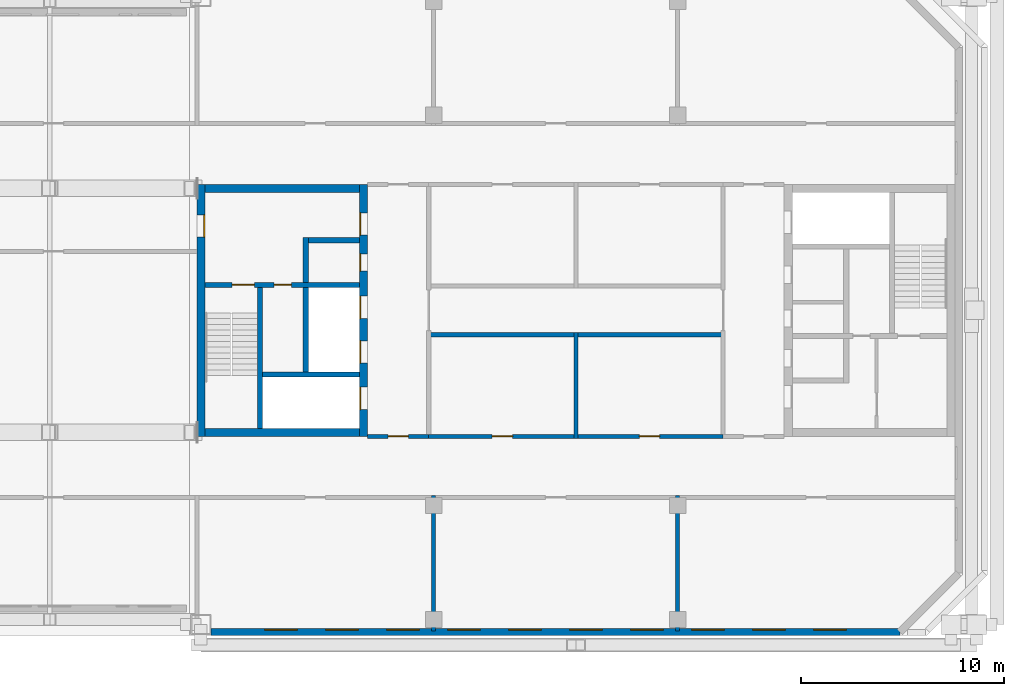
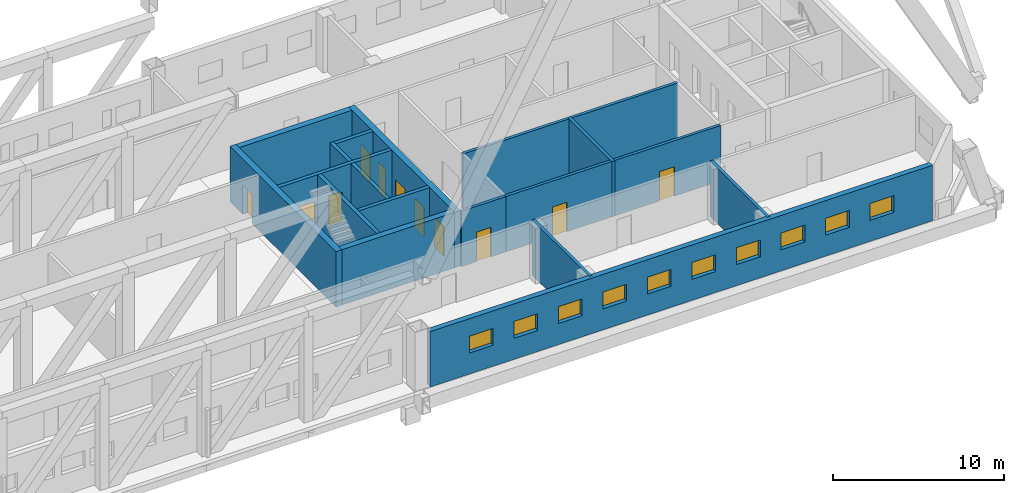
# One storey, part 11 of 17: 17 walls, 11 doors, 10 windows, 21 openings.
"""IFC4 building model written with IfcOpenShell, lengths in metres."""

from ifc_helpers import new_model, si_unit, direction, frame, frame_2d, origin, place, context, subcontext, project, spatial, rectangle, extrude, material, layer, layer_set, type_object, element, fill, save


model = new_model("IFC4")

# Units and contexts
model_context = context("Model", 3, precision=1e-05, world=origin(), true_north=direction((0.0, 1.0)))
body_context = subcontext(model_context, "Body", "Model", "MODEL_VIEW")
ifc_project = project(units=[si_unit("LENGTHUNIT", "METRE"), si_unit("AREAUNIT", "SQUARE_METRE"), si_unit("VOLUMEUNIT", "CUBIC_METRE"), si_unit("PLANEANGLEUNIT", "RADIAN"), si_unit("MASSUNIT", "GRAM", prefix="KILO")], contexts=[model_context])

# Site, building, storey
site_placement = place(None, origin())
site = spatial("IfcSite", under=ifc_project, at=site_placement, CompositionType="ELEMENT")
building_placement = place(site_placement, origin())
building = spatial("IfcBuilding", under=site, at=building_placement, Name="Tuart Gate Housing", CompositionType="ELEMENT")
storey_placement = place(building_placement, frame((0.0, 0.0, 194.39990234375)))
storey = spatial("IfcBuildingStorey", under=building, at=storey_placement, Name="L55", CompositionType="ELEMENT", Elevation=194.39990234375)

# Wall, openings, windows
ifc_material_1 = material(Name="Brick", Category="masonry")
ifc_layer_1 = layer(ifc_material_1, 0.360107421875)
ifc_layer_set_1 = layer_set([ifc_layer_1], Name="Brick pier and spandrel wall 360")
wall_type_1 = type_object("IfcWallType", Name="Brick pier and spandrel wall 360", PredefinedType="STANDARD", material=ifc_layer_set_1)
wall_1_placement = place(storey_placement, frame((132.050048828125, 54.179931640625, 0.0), z_axis=(0.0, 0.0, 1.0), x_axis=(1.0, 0.0, 0.0)))
wall_1 = element("IfcWall", 1, at=wall_1_placement, inside=storey, type_object=wall_type_1, Name="External wall BLK-S L55", PredefinedType="STANDARD", context=body_context, shape_type="SweptSolid", body=[
    extrude(rectangle(XDim=33.87548828125, YDim=0.360107421875, at=frame_2d((16.937744140625, 0.0))), origin(), (0.0, 0.0, 1.0), 3.9501953125),
])
opening_1_placement = place(wall_1_placement, frame((2.64990234375, 0.0, 1.5)))
opening_1 = element("IfcOpeningElement", 2, at=opening_1_placement, cuts=wall_1, Name="Opening W3", PredefinedType="OPENING", context=body_context, shape_type="SweptSolid", body=[
    extrude(rectangle(XDim=1.60009765625, YDim=1.199951171875, at=frame_2d((0.800048828125, 0.60009765625))), frame((0.0, 0.18994140625, 0.0), z_axis=(0.0, -1.0, 0.0), x_axis=(1.0, 0.0, 0.0)), (0.0, 0.0, 1.0), 0.380126953125),
])
opening_2_placement = place(wall_1_placement, frame((5.64990234375, 0.0, 1.5)))
opening_2 = element("IfcOpeningElement", 3, at=opening_2_placement, cuts=wall_1, Name="Opening W3", PredefinedType="OPENING", context=body_context, shape_type="SweptSolid", body=[
    extrude(rectangle(XDim=1.60009765625, YDim=1.199951171875, at=frame_2d((0.800048828125, 0.60009765625))), frame((0.0, 0.18994140625, 0.0), z_axis=(0.0, -1.0, 0.0), x_axis=(1.0, 0.0, 0.0)), (0.0, 0.0, 1.0), 0.380126953125),
])
opening_3_placement = place(wall_1_placement, frame((8.64990234375, 0.0, 1.5)))
opening_3 = element("IfcOpeningElement", 4, at=opening_3_placement, cuts=wall_1, Name="Opening W3", PredefinedType="OPENING", context=body_context, shape_type="SweptSolid", body=[
    extrude(rectangle(XDim=1.60009765625, YDim=1.199951171875, at=frame_2d((0.800048828125, 0.60009765625))), frame((0.0, 0.18994140625, 0.0), z_axis=(0.0, -1.0, 0.0), x_axis=(1.0, 0.0, 0.0)), (0.0, 0.0, 1.0), 0.380126953125),
])
opening_4_placement = place(wall_1_placement, frame((11.64990234375, 0.0, 1.5)))
opening_4 = element("IfcOpeningElement", 5, at=opening_4_placement, cuts=wall_1, Name="Opening W3", PredefinedType="OPENING", context=body_context, shape_type="SweptSolid", body=[
    extrude(rectangle(XDim=1.60009765625, YDim=1.199951171875, at=frame_2d((0.800048828125, 0.60009765625))), frame((0.0, 0.18994140625, 0.0), z_axis=(0.0, -1.0, 0.0), x_axis=(1.0, 0.0, 0.0)), (0.0, 0.0, 1.0), 0.380126953125),
])
opening_5_placement = place(wall_1_placement, frame((14.64990234375, 0.0, 1.5)))
opening_5 = element("IfcOpeningElement", 6, at=opening_5_placement, cuts=wall_1, Name="Opening W3", PredefinedType="OPENING", context=body_context, shape_type="SweptSolid", body=[
    extrude(rectangle(XDim=1.60009765625, YDim=1.199951171875, at=frame_2d((0.800048828125, 0.60009765625))), frame((0.0, 0.18994140625, 0.0), z_axis=(0.0, -1.0, 0.0), x_axis=(1.0, 0.0, 0.0)), (0.0, 0.0, 1.0), 0.380126953125),
])
opening_6_placement = place(wall_1_placement, frame((17.64990234375, 0.0, 1.5)))
opening_6 = element("IfcOpeningElement", 7, at=opening_6_placement, cuts=wall_1, Name="Opening W3", PredefinedType="OPENING", context=body_context, shape_type="SweptSolid", body=[
    extrude(rectangle(XDim=1.60009765625, YDim=1.199951171875, at=frame_2d((0.800048828125, 0.60009765625))), frame((0.0, 0.18994140625, 0.0), z_axis=(0.0, -1.0, 0.0), x_axis=(1.0, 0.0, 0.0)), (0.0, 0.0, 1.0), 0.380126953125),
])
opening_7_placement = place(wall_1_placement, frame((20.64990234375, 0.0, 1.5)))
opening_7 = element("IfcOpeningElement", 8, at=opening_7_placement, cuts=wall_1, Name="Opening W3", PredefinedType="OPENING", context=body_context, shape_type="SweptSolid", body=[
    extrude(rectangle(XDim=1.60009765625, YDim=1.199951171875, at=frame_2d((0.800048828125, 0.60009765625))), frame((0.0, 0.18994140625, 0.0), z_axis=(0.0, -1.0, 0.0), x_axis=(1.0, 0.0, 0.0)), (0.0, 0.0, 1.0), 0.380126953125),
])
opening_8_placement = place(wall_1_placement, frame((23.64990234375, 0.0, 1.5)))
opening_8 = element("IfcOpeningElement", 9, at=opening_8_placement, cuts=wall_1, Name="Opening W3", PredefinedType="OPENING", context=body_context, shape_type="SweptSolid", body=[
    extrude(rectangle(XDim=1.60009765625, YDim=1.199951171875, at=frame_2d((0.800048828125, 0.60009765625))), frame((0.0, 0.18994140625, 0.0), z_axis=(0.0, -1.0, 0.0), x_axis=(1.0, 0.0, 0.0)), (0.0, 0.0, 1.0), 0.380126953125),
])
opening_9_placement = place(wall_1_placement, frame((26.64990234375, 0.0, 1.5)))
opening_9 = element("IfcOpeningElement", 10, at=opening_9_placement, cuts=wall_1, Name="Opening W3", PredefinedType="OPENING", context=body_context, shape_type="SweptSolid", body=[
    extrude(rectangle(XDim=1.60009765625, YDim=1.199951171875, at=frame_2d((0.800048828125, 0.60009765625))), frame((0.0, 0.18994140625, 0.0), z_axis=(0.0, -1.0, 0.0), x_axis=(1.0, 0.0, 0.0)), (0.0, 0.0, 1.0), 0.380126953125),
])
opening_10_placement = place(wall_1_placement, frame((29.64990234375, 0.0, 1.5)))
opening_10 = element("IfcOpeningElement", 11, at=opening_10_placement, cuts=wall_1, Name="Opening W3", PredefinedType="OPENING", context=body_context, shape_type="SweptSolid", body=[
    extrude(rectangle(XDim=1.60009765625, YDim=1.199951171875, at=frame_2d((0.800048828125, 0.60009765625))), frame((0.0, 0.18994140625, 0.0), z_axis=(0.0, -1.0, 0.0), x_axis=(1.0, 0.0, 0.0)), (0.0, 0.0, 1.0), 0.380126953125),
])
ifc_material_2 = material(Name="Aluminium louvre blades", Category="aluminium")
window_type = type_object("IfcWindowType", Name="Louvre window 1600 x 1200", PartitioningType="DOUBLE_PANEL_HORIZONTAL", PredefinedType="WINDOW", material=ifc_material_2)
window_1_placement = place(opening_1_placement, origin())
window_1 = element("IfcWindow", 12, at=window_1_placement, inside=storey, type_object=window_type, Name="Louvre W3", OverallHeight=1.199951171875, OverallWidth=1.60009765625, PartitioningType="DOUBLE_PANEL_HORIZONTAL", PredefinedType="WINDOW", context=body_context, shape_type="SweptSolid", body=[
    extrude(rectangle(XDim=1.60009765625, YDim=1.199951171875, at=frame_2d((0.800048828125, 0.60009765625))), frame((0.0, 0.150146484375, 0.0), z_axis=(0.0, -1.0, 0.0), x_axis=(1.0, 0.0, 0.0)), (0.0, 0.0, 1.0), 0.06005859375),
])
fill(opening_1, window_1)
window_2_placement = place(opening_2_placement, origin())
window_2 = element("IfcWindow", 13, at=window_2_placement, inside=storey, type_object=window_type, Name="Louvre W3", OverallHeight=1.199951171875, OverallWidth=1.60009765625, PartitioningType="DOUBLE_PANEL_HORIZONTAL", PredefinedType="WINDOW", context=body_context, shape_type="SweptSolid", body=[
    extrude(rectangle(XDim=1.60009765625, YDim=1.199951171875, at=frame_2d((0.800048828125, 0.60009765625))), frame((0.0, 0.150146484375, 0.0), z_axis=(0.0, -1.0, 0.0), x_axis=(1.0, 0.0, 0.0)), (0.0, 0.0, 1.0), 0.06005859375),
])
fill(opening_2, window_2)
window_3_placement = place(opening_3_placement, origin())
window_3 = element("IfcWindow", 14, at=window_3_placement, inside=storey, type_object=window_type, Name="Louvre W3", OverallHeight=1.199951171875, OverallWidth=1.60009765625, PartitioningType="DOUBLE_PANEL_HORIZONTAL", PredefinedType="WINDOW", context=body_context, shape_type="SweptSolid", body=[
    extrude(rectangle(XDim=1.60009765625, YDim=1.199951171875, at=frame_2d((0.800048828125, 0.60009765625))), frame((0.0, 0.150146484375, 0.0), z_axis=(0.0, -1.0, 0.0), x_axis=(1.0, 0.0, 0.0)), (0.0, 0.0, 1.0), 0.06005859375),
])
fill(opening_3, window_3)
window_4_placement = place(opening_4_placement, origin())
window_4 = element("IfcWindow", 15, at=window_4_placement, inside=storey, type_object=window_type, Name="Louvre W3", OverallHeight=1.199951171875, OverallWidth=1.60009765625, PartitioningType="DOUBLE_PANEL_HORIZONTAL", PredefinedType="WINDOW", context=body_context, shape_type="SweptSolid", body=[
    extrude(rectangle(XDim=1.60009765625, YDim=1.199951171875, at=frame_2d((0.800048828125, 0.60009765625))), frame((0.0, 0.150146484375, 0.0), z_axis=(0.0, -1.0, 0.0), x_axis=(1.0, 0.0, 0.0)), (0.0, 0.0, 1.0), 0.06005859375),
])
fill(opening_4, window_4)
window_5_placement = place(opening_5_placement, origin())
window_5 = element("IfcWindow", 16, at=window_5_placement, inside=storey, type_object=window_type, Name="Louvre W3", OverallHeight=1.199951171875, OverallWidth=1.60009765625, PartitioningType="DOUBLE_PANEL_HORIZONTAL", PredefinedType="WINDOW", context=body_context, shape_type="SweptSolid", body=[
    extrude(rectangle(XDim=1.60009765625, YDim=1.199951171875, at=frame_2d((0.800048828125, 0.60009765625))), frame((0.0, 0.150146484375, 0.0), z_axis=(0.0, -1.0, 0.0), x_axis=(1.0, 0.0, 0.0)), (0.0, 0.0, 1.0), 0.06005859375),
])
fill(opening_5, window_5)
window_6_placement = place(opening_6_placement, origin())
window_6 = element("IfcWindow", 17, at=window_6_placement, inside=storey, type_object=window_type, Name="Louvre W3", OverallHeight=1.199951171875, OverallWidth=1.60009765625, PartitioningType="DOUBLE_PANEL_HORIZONTAL", PredefinedType="WINDOW", context=body_context, shape_type="SweptSolid", body=[
    extrude(rectangle(XDim=1.60009765625, YDim=1.199951171875, at=frame_2d((0.800048828125, 0.60009765625))), frame((0.0, 0.150146484375, 0.0), z_axis=(0.0, -1.0, 0.0), x_axis=(1.0, 0.0, 0.0)), (0.0, 0.0, 1.0), 0.06005859375),
])
fill(opening_6, window_6)
window_7_placement = place(opening_7_placement, origin())
window_7 = element("IfcWindow", 18, at=window_7_placement, inside=storey, type_object=window_type, Name="Louvre W3", OverallHeight=1.199951171875, OverallWidth=1.60009765625, PartitioningType="DOUBLE_PANEL_HORIZONTAL", PredefinedType="WINDOW", context=body_context, shape_type="SweptSolid", body=[
    extrude(rectangle(XDim=1.60009765625, YDim=1.199951171875, at=frame_2d((0.800048828125, 0.60009765625))), frame((0.0, 0.150146484375, 0.0), z_axis=(0.0, -1.0, 0.0), x_axis=(1.0, 0.0, 0.0)), (0.0, 0.0, 1.0), 0.06005859375),
])
fill(opening_7, window_7)
window_8_placement = place(opening_8_placement, origin())
window_8 = element("IfcWindow", 19, at=window_8_placement, inside=storey, type_object=window_type, Name="Louvre W3", OverallHeight=1.199951171875, OverallWidth=1.60009765625, PartitioningType="DOUBLE_PANEL_HORIZONTAL", PredefinedType="WINDOW", context=body_context, shape_type="SweptSolid", body=[
    extrude(rectangle(XDim=1.60009765625, YDim=1.199951171875, at=frame_2d((0.800048828125, 0.60009765625))), frame((0.0, 0.150146484375, 0.0), z_axis=(0.0, -1.0, 0.0), x_axis=(1.0, 0.0, 0.0)), (0.0, 0.0, 1.0), 0.06005859375),
])
fill(opening_8, window_8)
window_9_placement = place(opening_9_placement, origin())
window_9 = element("IfcWindow", 20, at=window_9_placement, inside=storey, type_object=window_type, Name="Louvre W3", OverallHeight=1.199951171875, OverallWidth=1.60009765625, PartitioningType="DOUBLE_PANEL_HORIZONTAL", PredefinedType="WINDOW", context=body_context, shape_type="SweptSolid", body=[
    extrude(rectangle(XDim=1.60009765625, YDim=1.199951171875, at=frame_2d((0.800048828125, 0.60009765625))), frame((0.0, 0.150146484375, 0.0), z_axis=(0.0, -1.0, 0.0), x_axis=(1.0, 0.0, 0.0)), (0.0, 0.0, 1.0), 0.06005859375),
])
fill(opening_9, window_9)
window_10_placement = place(opening_10_placement, origin())
window_10 = element("IfcWindow", 21, at=window_10_placement, inside=storey, type_object=window_type, Name="Louvre W3", OverallHeight=1.199951171875, OverallWidth=1.60009765625, PartitioningType="DOUBLE_PANEL_HORIZONTAL", PredefinedType="WINDOW", context=body_context, shape_type="SweptSolid", body=[
    extrude(rectangle(XDim=1.60009765625, YDim=1.199951171875, at=frame_2d((0.800048828125, 0.60009765625))), frame((0.0, 0.150146484375, 0.0), z_axis=(0.0, -1.0, 0.0), x_axis=(1.0, 0.0, 0.0)), (0.0, 0.0, 1.0), 0.06005859375),
])
fill(opening_10, window_10)

# Wall
ifc_material_3 = material(Name="Concrete C40", Category="concrete")
ifc_layer_2 = layer(ifc_material_3, 0.25)
ifc_layer_set_2 = layer_set([ifc_layer_2], Name="Core wall 250 C40")
wall_type_2 = type_object("IfcWallType", Name="Core wall 250 C40", PredefinedType="SHEAR", material=ifc_layer_set_2)
wall_2_placement = place(storey_placement, frame((139.360107421875, 66.85009765625, 0.0), z_axis=(0.0, 0.0, 1.0), x_axis=(-1.0, 0.0, 0.0)))
element("IfcWall", 22, at=wall_2_placement, inside=storey, type_object=wall_type_2, Name="Core wall BG.1", PredefinedType="SHEAR", context=body_context, shape_type="SweptSolid", body=[
    extrude(rectangle(XDim=4.775146484375, YDim=0.25, at=frame_2d((2.3876953125, 0.0))), origin(), (0.0, 0.0, 1.0), 3.9501953125),
])

# Wall, openings, doors
wall_3_placement = place(storey_placement, frame((139.360107421875, 71.25, 0.0), z_axis=(0.0, 0.0, 1.0), x_axis=(-1.0, 0.0, 0.0)))
wall_3 = element("IfcWall", 23, at=wall_3_placement, inside=storey, type_object=wall_type_2, Name="Core wall BG.2", PredefinedType="SHEAR", context=body_context, shape_type="SweptSolid", body=[
    extrude(rectangle(XDim=7.60009765625, YDim=0.25, at=frame_2d((3.800048828125, 0.0))), origin(), (0.0, 0.0, 1.0), 3.9501953125),
])
opening_11_placement = place(wall_3_placement, frame((5.175048828125, 0.0, 0.0)))
opening_11 = element("IfcOpeningElement", 24, at=opening_11_placement, cuts=wall_3, Name="Opening D3549", PredefinedType="OPENING", context=body_context, shape_type="SweptSolid", body=[
    extrude(rectangle(XDim=1.10009765625, YDim=2.10009765625, at=frame_2d((0.550048828125, 1.050048828125))), frame((0.0, 0.135009765625, 0.0), z_axis=(0.0, -1.0, 0.0), x_axis=(1.0, 0.0, 0.0)), (0.0, 0.0, 1.0), 0.27001953125),
])
opening_12_placement = place(wall_3_placement, frame((3.35009765625, 0.0, 0.0)))
opening_12 = element("IfcOpeningElement", 25, at=opening_12_placement, cuts=wall_3, Name="Opening D3548", PredefinedType="OPENING", context=body_context, shape_type="SweptSolid", body=[
    extrude(rectangle(XDim=0.85009765625, YDim=2.10009765625, at=frame_2d((0.425048828125, 1.050048828125))), frame((0.0, 0.135009765625, 0.0), z_axis=(0.0, -1.0, 0.0), x_axis=(1.0, 0.0, 0.0)), (0.0, 0.0, 1.0), 0.27001953125),
])
ifc_material_4 = material(Name="Steel fire door", Category="steel")
door_type_1 = type_object("IfcDoorType", Name="Riser door 850 x 2100", OperationType="SINGLE_SWING_LEFT", PredefinedType="DOOR", material=ifc_material_4)
door_1_placement = place(opening_12_placement, origin())
door_1 = element("IfcDoor", 26, at=door_1_placement, inside=storey, type_object=door_type_1, Name="Service room door BG.W1", OperationType="SINGLE_SWING_LEFT", OverallHeight=2.10009765625, OverallWidth=0.85009765625, PredefinedType="DOOR", context=body_context, shape_type="SweptSolid", body=[
    extrude(rectangle(XDim=0.85009765625, YDim=2.10009765625, at=frame_2d((0.425048828125, 1.050048828125))), frame((0.0, 0.02490234375, 0.0), z_axis=(0.0, -1.0, 0.0), x_axis=(1.0, 0.0, 0.0)), (0.0, 0.0, 1.0), 0.050048828125),
])
fill(opening_12, door_1)
ifc_material_5 = material(Name="Steel fire door", Category="steel")
door_type_2 = type_object("IfcDoorType", Name="Stair door 1100 x 2100", OperationType="SINGLE_SWING_LEFT", PredefinedType="DOOR", material=ifc_material_5)
door_2_placement = place(opening_11_placement, origin())
door_2 = element("IfcDoor", 27, at=door_2_placement, inside=storey, type_object=door_type_2, Name="Stair door BG.SD", OperationType="SINGLE_SWING_LEFT", OverallHeight=2.10009765625, OverallWidth=1.10009765625, PredefinedType="DOOR", context=body_context, shape_type="SweptSolid", body=[
    extrude(rectangle(XDim=1.10009765625, YDim=2.10009765625, at=frame_2d((0.550048828125, 1.050048828125))), frame((0.0, 0.02490234375, 0.0), z_axis=(0.0, -1.0, 0.0), x_axis=(1.0, 0.0, 0.0)), (0.0, 0.0, 1.0), 0.050048828125),
])
fill(opening_11, door_2)

# Walls
wall_4_placement = place(storey_placement, frame((139.360107421875, 73.449951171875, 0.0), z_axis=(0.0, 0.0, 1.0), x_axis=(-1.0, 0.0, 0.0)))
element("IfcWall", 28, at=wall_4_placement, inside=storey, type_object=wall_type_2, Name="Core wall BG.3", PredefinedType="SHEAR", context=body_context, shape_type="SweptSolid", body=[
    extrude(rectangle(XDim=2.525146484375, YDim=0.25, at=frame_2d((1.2626953125, 0.0))), origin(), (0.0, 0.0, 1.0), 3.9501953125),
])
wall_5_placement = place(storey_placement, frame((136.7099609375, 66.97509765625, 0.0), z_axis=(0.0, 0.0, 1.0), x_axis=(0.0, 1.0, 0.0)))
element("IfcWall", 29, at=wall_5_placement, inside=storey, type_object=wall_type_2, Name="Core wall BG.4", PredefinedType="SHEAR", context=body_context, shape_type="SweptSolid", body=[
    extrude(rectangle(XDim=4.14990234375, YDim=0.25, at=frame_2d((2.074951171875, 0.0))), origin(), (0.0, 0.0, 1.0), 3.9501953125),
])
wall_6_placement = place(storey_placement, frame((136.7099609375, 71.375, 0.0), z_axis=(0.0, 0.0, 1.0), x_axis=(0.0, 1.0, 0.0)))
element("IfcWall", 30, at=wall_6_placement, inside=storey, type_object=wall_type_2, Name="Core wall BG.5", PredefinedType="SHEAR", context=body_context, shape_type="SweptSolid", body=[
    extrude(rectangle(XDim=2.199951171875, YDim=0.25, at=frame_2d((1.10009765625, 0.0))), origin(), (0.0, 0.0, 1.0), 3.9501953125),
])
wall_7_placement = place(storey_placement, frame((134.4599609375, 64.199951171875, 0.0), z_axis=(0.0, 0.0, 1.0), x_axis=(0.0, 1.0, 0.0)))
element("IfcWall", 31, at=wall_7_placement, inside=storey, type_object=wall_type_2, Name="Core wall BG.6", PredefinedType="SHEAR", context=body_context, shape_type="SweptSolid", body=[
    extrude(rectangle(XDim=6.925048828125, YDim=0.25, at=frame_2d((3.46240234375, 0.0))), origin(), (0.0, 0.0, 1.0), 3.9501953125),
])

# Wall, openings, doors
ifc_material_6 = material(Name="Concrete C40", Category="concrete")
ifc_layer_3 = layer(ifc_material_6, 0.39990234375)
ifc_layer_set_3 = layer_set([ifc_layer_3], Name="Core wall 400 C40")
wall_type_3 = type_object("IfcWallType", Name="Core wall 400 C40", PredefinedType="SHEAR", material=ifc_layer_set_3)
wall_8_placement = place(storey_placement, frame((139.56005859375, 63.800048828125, 0.0), z_axis=(0.0, 0.0, 1.0), x_axis=(0.0, 1.0, 0.0)))
wall_8 = element("IfcWall", 32, at=wall_8_placement, inside=storey, type_object=wall_type_3, Name="Core wall BG front", PredefinedType="SHEAR", context=body_context, shape_type="SweptSolid", body=[
    extrude(rectangle(XDim=12.39990234375, YDim=0.39990234375, at=frame_2d((6.199951171875, 0.0))), origin(), (0.0, 0.0, 1.0), 3.9501953125),
])
opening_13_placement = place(wall_8_placement, frame((1.324951171875, 0.0, 0.0)))
opening_13 = element("IfcOpeningElement", 33, at=opening_13_placement, cuts=wall_8, Name="Opening LD-FB1", PredefinedType="OPENING", context=body_context, shape_type="SweptSolid", body=[
    extrude(rectangle(XDim=1.10009765625, YDim=2.10009765625, at=frame_2d((0.550048828125, 1.050048828125))), frame((0.0, 0.2099609375, 0.0), z_axis=(0.0, -1.0, 0.0), x_axis=(1.0, 0.0, 0.0)), (0.0, 0.0, 1.0), 0.419921875),
])
opening_14_placement = place(wall_8_placement, frame((3.60009765625, 0.0, 0.0)))
opening_14 = element("IfcOpeningElement", 34, at=opening_14_placement, cuts=wall_8, Name="Opening LD-LB1", PredefinedType="OPENING", context=body_context, shape_type="SweptSolid", body=[
    extrude(rectangle(XDim=1.10009765625, YDim=2.10009765625, at=frame_2d((0.550048828125, 1.050048828125))), frame((0.0, 0.2099609375, 0.0), z_axis=(0.0, -1.0, 0.0), x_axis=(1.0, 0.0, 0.0)), (0.0, 0.0, 1.0), 0.419921875),
])
opening_15_placement = place(wall_8_placement, frame((5.800048828125, 0.0, 0.0)))
opening_15 = element("IfcOpeningElement", 35, at=opening_15_placement, cuts=wall_8, Name="Opening LD-LB2", PredefinedType="OPENING", context=body_context, shape_type="SweptSolid", body=[
    extrude(rectangle(XDim=1.10009765625, YDim=2.10009765625, at=frame_2d((0.550048828125, 1.050048828125))), frame((0.0, 0.2099609375, 0.0), z_axis=(0.0, -1.0, 0.0), x_axis=(1.0, 0.0, 0.0)), (0.0, 0.0, 1.0), 0.419921875),
])
opening_16_placement = place(wall_8_placement, frame((9.89990234375, 0.0, 0.0)))
opening_16 = element("IfcOpeningElement", 36, at=opening_16_placement, cuts=wall_8, Name="Opening D3551", PredefinedType="OPENING", context=body_context, shape_type="SweptSolid", body=[
    extrude(rectangle(XDim=1.10009765625, YDim=2.10009765625, at=frame_2d((0.550048828125, 1.050048828125))), frame((0.0, 0.2099609375, 0.0), z_axis=(0.0, -1.0, 0.0), x_axis=(1.0, 0.0, 0.0)), (0.0, 0.0, 1.0), 0.419921875),
])
opening_17_placement = place(wall_8_placement, frame((8.125, 0.0, 0.0)))
opening_17 = element("IfcOpeningElement", 37, at=opening_17_placement, cuts=wall_8, Name="Opening D3552", PredefinedType="OPENING", context=body_context, shape_type="SweptSolid", body=[
    extrude(rectangle(XDim=0.85009765625, YDim=2.10009765625, at=frame_2d((0.425048828125, 1.050048828125))), frame((0.0, 0.2099609375, 0.0), z_axis=(0.0, -1.0, 0.0), x_axis=(1.0, 0.0, 0.0)), (0.0, 0.0, 1.0), 0.419921875),
])
ifc_material_7 = material(Name="Stainless steel", Category="steel")
door_type_3 = type_object("IfcDoorType", Name="Landing door 1100 x 2100", OperationType="DOUBLE_DOOR_SLIDING", PredefinedType="DOOR", material=ifc_material_7)
door_3_placement = place(opening_13_placement, origin())
door_3 = element("IfcDoor", 38, at=door_3_placement, inside=storey, type_object=door_type_3, Name="Lift landing door FB1", OperationType="DOUBLE_DOOR_SLIDING", OverallHeight=2.10009765625, OverallWidth=1.10009765625, PredefinedType="DOOR", context=body_context, shape_type="SweptSolid", body=[
    extrude(rectangle(XDim=1.10009765625, YDim=2.10009765625, at=frame_2d((0.550048828125, 1.050048828125))), frame((0.0, 0.18505859375, 0.0), z_axis=(0.0, -1.0, 0.0), x_axis=(1.0, 0.0, 0.0)), (0.0, 0.0, 1.0), 0.050048828125),
])
fill(opening_13, door_3)
door_4_placement = place(opening_14_placement, origin())
door_4 = element("IfcDoor", 39, at=door_4_placement, inside=storey, type_object=door_type_3, Name="Lift landing door LB1", OperationType="DOUBLE_DOOR_SLIDING", OverallHeight=2.10009765625, OverallWidth=1.10009765625, PredefinedType="DOOR", context=body_context, shape_type="SweptSolid", body=[
    extrude(rectangle(XDim=1.10009765625, YDim=2.10009765625, at=frame_2d((0.550048828125, 1.050048828125))), frame((0.0, 0.18505859375, 0.0), z_axis=(0.0, -1.0, 0.0), x_axis=(1.0, 0.0, 0.0)), (0.0, 0.0, 1.0), 0.050048828125),
])
fill(opening_14, door_4)
door_5_placement = place(opening_15_placement, origin())
door_5 = element("IfcDoor", 40, at=door_5_placement, inside=storey, type_object=door_type_3, Name="Lift landing door LB2", OperationType="DOUBLE_DOOR_SLIDING", OverallHeight=2.10009765625, OverallWidth=1.10009765625, PredefinedType="DOOR", context=body_context, shape_type="SweptSolid", body=[
    extrude(rectangle(XDim=1.10009765625, YDim=2.10009765625, at=frame_2d((0.550048828125, 1.050048828125))), frame((0.0, 0.18505859375, 0.0), z_axis=(0.0, -1.0, 0.0), x_axis=(1.0, 0.0, 0.0)), (0.0, 0.0, 1.0), 0.050048828125),
])
fill(opening_15, door_5)
ifc_material_8 = material(Name="Steel fire door", Category="steel")
door_type_4 = type_object("IfcDoorType", Name="Lobby door 1100 x 2100", OperationType="SINGLE_SWING_LEFT", PredefinedType="DOOR", material=ifc_material_8)
door_6_placement = place(opening_16_placement, origin())
door_6 = element("IfcDoor", 41, at=door_6_placement, inside=storey, type_object=door_type_4, Name="Lobby entry door BG.EN", OperationType="SINGLE_SWING_LEFT", OverallHeight=2.10009765625, OverallWidth=1.10009765625, PredefinedType="DOOR", context=body_context, shape_type="SweptSolid", body=[
    extrude(rectangle(XDim=1.10009765625, YDim=2.10009765625, at=frame_2d((0.550048828125, 1.050048828125))), frame((0.0, 0.18505859375, 0.0), z_axis=(0.0, -1.0, 0.0), x_axis=(1.0, 0.0, 0.0)), (0.0, 0.0, 1.0), 0.050048828125),
])
fill(opening_16, door_6)
ifc_material_9 = material(Name="Steel fire door", Category="steel")
door_type_5 = type_object("IfcDoorType", Name="Service door 850 x 2100", OperationType="SINGLE_SWING_LEFT", PredefinedType="DOOR", material=ifc_material_9)
door_7_placement = place(opening_17_placement, origin())
door_7 = element("IfcDoor", 42, at=door_7_placement, inside=storey, type_object=door_type_5, Name="Service room door BG.T1", OperationType="SINGLE_SWING_LEFT", OverallHeight=2.10009765625, OverallWidth=0.85009765625, PredefinedType="DOOR", context=body_context, shape_type="SweptSolid", body=[
    extrude(rectangle(XDim=0.85009765625, YDim=2.10009765625, at=frame_2d((0.425048828125, 1.050048828125))), frame((0.0, 0.18505859375, 0.0), z_axis=(0.0, -1.0, 0.0), x_axis=(1.0, 0.0, 0.0)), (0.0, 0.0, 1.0), 0.050048828125),
])
fill(opening_17, door_7)

# Wall, opening, door
wall_9_placement = place(storey_placement, frame((131.56005859375, 63.800048828125, 0.0), z_axis=(0.0, 0.0, 1.0), x_axis=(0.0, 1.0, 0.0)))
wall_9 = element("IfcWall", 43, at=wall_9_placement, inside=storey, type_object=wall_type_3, Name="Core wall BG back", PredefinedType="SHEAR", context=body_context, shape_type="SweptSolid", body=[
    extrude(rectangle(XDim=12.39990234375, YDim=0.39990234375, at=frame_2d((6.199951171875, 0.0))), origin(), (0.0, 0.0, 1.0), 3.9501953125),
])
opening_18_placement = place(wall_9_placement, frame((9.800048828125, 0.0, 0.0)))
opening_18 = element("IfcOpeningElement", 44, at=opening_18_placement, cuts=wall_9, Name="Opening D3550", PredefinedType="OPENING", context=body_context, shape_type="SweptSolid", body=[
    extrude(rectangle(XDim=1.10009765625, YDim=2.10009765625, at=frame_2d((0.550048828125, 1.050048828125))), frame((0.0, 0.2099609375, 0.0), z_axis=(0.0, -1.0, 0.0), x_axis=(1.0, 0.0, 0.0)), (0.0, 0.0, 1.0), 0.419921875),
])
door_8_placement = place(opening_18_placement, frame((1.10009765625, 0.0, 0.0), z_axis=(0.0, 0.0, 1.0), x_axis=(-1.0, 0.0, 0.0)))
door_8 = element("IfcDoor", 45, at=door_8_placement, inside=storey, type_object=door_type_4, Name="Link door BG.LK", OperationType="SINGLE_SWING_LEFT", OverallHeight=2.10009765625, OverallWidth=1.10009765625, PredefinedType="DOOR", context=body_context, shape_type="SweptSolid", body=[
    extrude(rectangle(XDim=1.10009765625, YDim=2.10009765625, at=frame_2d((0.550048828125, 1.050048828125))), frame((0.0, 0.184814453125, 0.0), z_axis=(0.0, -1.0, 0.0), x_axis=(1.0, 0.0, 0.0)), (0.0, 0.0, 1.0), 0.050048828125),
])
fill(opening_18, door_8)

# Walls
for number, where, z_axis, x_axis, name in (
    (46, (139.360107421875, 64.0, 0.0), (0.0, 0.0, 1.0), (-1.0, 0.0, 0.0), "Core wall BG south"),
    (47, (139.360107421875, 76.0, 0.0), (0.0, 0.0, 1.0), (-1.0, 0.0, 0.0), "Core wall BG north"),
):
    element("IfcWall", number, at=place(storey_placement, frame(where, z_axis=z_axis, x_axis=x_axis)), inside=storey, type_object=wall_type_3, Name=name, PredefinedType="SHEAR", context=body_context, shape_type="SweptSolid", body=[
        extrude(rectangle(XDim=7.60009765625, YDim=0.39990234375, at=frame_2d((3.800048828125, 0.0))), origin(), (0.0, 0.0, 1.0), 3.9501953125),
    ])

# Wall, openings, doors
ifc_material_10 = material(Name="Concrete masonry 15 MPa", Category="masonry")
ifc_layer_4 = layer(ifc_material_10, 0.199951171875)
ifc_layer_set_4 = layer_set([ifc_layer_4], Name="Enclosure wall masonry 200")
wall_type_4 = type_object("IfcWallType", Name="Enclosure wall masonry 200", PredefinedType="PARTITIONING", material=ifc_layer_set_4)
wall_10_placement = place(storey_placement, frame((142.760009765625, 63.800048828125, 0.0), z_axis=(0.0, 0.0, 1.0), x_axis=(1.0, 0.0, 0.0)))
wall_10 = element("IfcWall", 48, at=wall_10_placement, inside=storey, type_object=wall_type_4, Name="Enclosure wall masonry 200", PredefinedType="PARTITIONING", context=body_context, shape_type="SweptSolid", body=[
    extrude(rectangle(XDim=14.47998046875, YDim=0.199951171875, at=frame_2d((7.239990234375, 0.0))), origin(), (0.0, 0.0, 1.0), 3.9501953125),
])
opening_19_placement = place(wall_10_placement, frame((3.1201171875, 0.0, 0.0)))
opening_19 = element("IfcOpeningElement", 49, at=opening_19_placement, cuts=wall_10, Name="Opening D3563", PredefinedType="OPENING", context=body_context, shape_type="SweptSolid", body=[
    extrude(rectangle(XDim=1.0, YDim=2.10009765625, at=frame_2d((0.5, 1.050048828125))), frame((0.0, 0.10986328125, 0.0), z_axis=(0.0, -1.0, 0.0), x_axis=(1.0, 0.0, 0.0)), (0.0, 0.0, 1.0), 0.219970703125),
])
opening_20_placement = place(wall_10_placement, frame((10.360107421875, 0.0, 0.0)))
opening_20 = element("IfcOpeningElement", 50, at=opening_20_placement, cuts=wall_10, Name="Opening D3564", PredefinedType="OPENING", context=body_context, shape_type="SweptSolid", body=[
    extrude(rectangle(XDim=1.0, YDim=2.10009765625, at=frame_2d((0.5, 1.050048828125))), frame((0.0, 0.10986328125, 0.0), z_axis=(0.0, -1.0, 0.0), x_axis=(1.0, 0.0, 0.0)), (0.0, 0.0, 1.0), 0.219970703125),
])
ifc_material_11 = material(Name="Timber door leaf in steel frame", Category="steel")
door_type_6 = type_object("IfcDoorType", Name="Fire door 1000", OperationType="SINGLE_SWING_LEFT", PredefinedType="DOOR", material=ifc_material_11)
door_9_placement = place(opening_19_placement, origin())
door_9 = element("IfcDoor", 51, at=door_9_placement, inside=storey, type_object=door_type_6, Name="Fire door 1000", OperationType="SINGLE_SWING_LEFT", OverallHeight=2.10009765625, OverallWidth=1.0, PredefinedType="DOOR", context=body_context, shape_type="SweptSolid", body=[
    extrude(rectangle(XDim=1.0, YDim=2.10009765625, at=frame_2d((0.5, 1.050048828125))), frame((0.0, 0.02490234375, 0.0), z_axis=(0.0, -1.0, 0.0), x_axis=(1.0, 0.0, 0.0)), (0.0, 0.0, 1.0), 0.050048828125),
])
fill(opening_19, door_9)
door_10_placement = place(opening_20_placement, origin())
door_10 = element("IfcDoor", 52, at=door_10_placement, inside=storey, type_object=door_type_6, Name="Fire door 1000", OperationType="SINGLE_SWING_LEFT", OverallHeight=2.10009765625, OverallWidth=1.0, PredefinedType="DOOR", context=body_context, shape_type="SweptSolid", body=[
    extrude(rectangle(XDim=1.0, YDim=2.10009765625, at=frame_2d((0.5, 1.050048828125))), frame((0.0, 0.02490234375, 0.0), z_axis=(0.0, -1.0, 0.0), x_axis=(1.0, 0.0, 0.0)), (0.0, 0.0, 1.0), 0.050048828125),
])
fill(opening_20, door_10)

# Wall, opening, door
wall_11_placement = place(storey_placement, frame((139.760009765625, 63.800048828125, 0.0), z_axis=(0.0, 0.0, 1.0), x_axis=(1.0, 0.0, 0.0)))
wall_11 = element("IfcWall", 53, at=wall_11_placement, inside=storey, type_object=wall_type_4, Name="Enclosure wall masonry 200", PredefinedType="PARTITIONING", context=body_context, shape_type="SweptSolid", body=[
    extrude(rectangle(XDim=3.0, YDim=0.199951171875, at=frame_2d((1.5, 0.0))), origin(), (0.0, 0.0, 1.0), 3.9501953125),
])
opening_21_placement = place(wall_11_placement, frame((1.0, 0.0, 0.0)))
opening_21 = element("IfcOpeningElement", 54, at=opening_21_placement, cuts=wall_11, Name="Opening D3562", PredefinedType="OPENING", context=body_context, shape_type="SweptSolid", body=[
    extrude(rectangle(XDim=1.0, YDim=2.10009765625, at=frame_2d((0.5, 1.050048828125))), frame((0.0, 0.10986328125, 0.0), z_axis=(0.0, -1.0, 0.0), x_axis=(1.0, 0.0, 0.0)), (0.0, 0.0, 1.0), 0.219970703125),
])
ifc_material_12 = material(Name="Timber door leaf in steel frame", Category="steel")
door_type_7 = type_object("IfcDoorType", Name="Lobby door 1000 RH", OperationType="SINGLE_SWING_RIGHT", PredefinedType="DOOR", material=ifc_material_12)
door_11_placement = place(opening_21_placement, origin())
door_11 = element("IfcDoor", 55, at=door_11_placement, inside=storey, type_object=door_type_7, Name="Lobby door 1000", OperationType="SINGLE_SWING_RIGHT", OverallHeight=2.10009765625, OverallWidth=1.0, PredefinedType="DOOR", context=body_context, shape_type="SweptSolid", body=[
    extrude(rectangle(XDim=1.0, YDim=2.10009765625, at=frame_2d((0.5, 1.050048828125))), frame((0.0, 0.02490234375, 0.0), z_axis=(0.0, -1.0, 0.0), x_axis=(1.0, 0.0, 0.0)), (0.0, 0.0, 1.0), 0.050048828125),
])
fill(opening_21, door_11)

# Walls
wall_12_placement = place(storey_placement, frame((142.760009765625, 68.800048828125, 0.0), z_axis=(0.0, 0.0, 1.0), x_axis=(1.0, 0.0, 0.0)))
element("IfcWall", 56, at=wall_12_placement, inside=storey, type_object=wall_type_4, Name="Enclosure wall masonry 200", PredefinedType="PARTITIONING", context=body_context, shape_type="SweptSolid", body=[
    extrude(rectangle(XDim=14.47998046875, YDim=0.199951171875, at=frame_2d((7.239990234375, 0.0))), origin(), (0.0, 0.0, 1.0), 3.9501953125),
])
wall_13_placement = place(storey_placement, frame((143.0, 54.239990234375, 0.0), z_axis=(0.0, 0.0, 1.0), x_axis=(0.0, 1.0, 0.0)))
element("IfcWall", 57, at=wall_13_placement, inside=storey, type_object=wall_type_4, Name="Enclosure wall masonry 200", PredefinedType="PARTITIONING", context=body_context, shape_type="SweptSolid", body=[
    extrude(rectangle(XDim=6.659912109375, YDim=0.199951171875, at=frame_2d((3.330078125, 0.0))), origin(), (0.0, 0.0, 1.0), 3.9501953125),
])
wall_14_placement = place(storey_placement, frame((150.0, 63.699951171875, 0.0), z_axis=(0.0, 0.0, 1.0), x_axis=(0.0, 1.0, 0.0)))
element("IfcWall", 58, at=wall_14_placement, inside=storey, type_object=wall_type_4, Name="Enclosure wall masonry 200", PredefinedType="PARTITIONING", context=body_context, shape_type="SweptSolid", body=[
    extrude(rectangle(XDim=5.199951171875, YDim=0.199951171875, at=frame_2d((2.60009765625, 0.0))), origin(), (0.0, 0.0, 1.0), 3.9501953125),
])
wall_15_placement = place(storey_placement, frame((155.0, 54.239990234375, 0.0), z_axis=(0.0, 0.0, 1.0), x_axis=(0.0, 1.0, 0.0)))
element("IfcWall", 59, at=wall_15_placement, inside=storey, type_object=wall_type_4, Name="Enclosure wall masonry 200", PredefinedType="PARTITIONING", context=body_context, shape_type="SweptSolid", body=[
    extrude(rectangle(XDim=6.659912109375, YDim=0.199951171875, at=frame_2d((3.330078125, 0.0))), origin(), (0.0, 0.0, 1.0), 3.9501953125),
])

save(model, "model.ifc")
